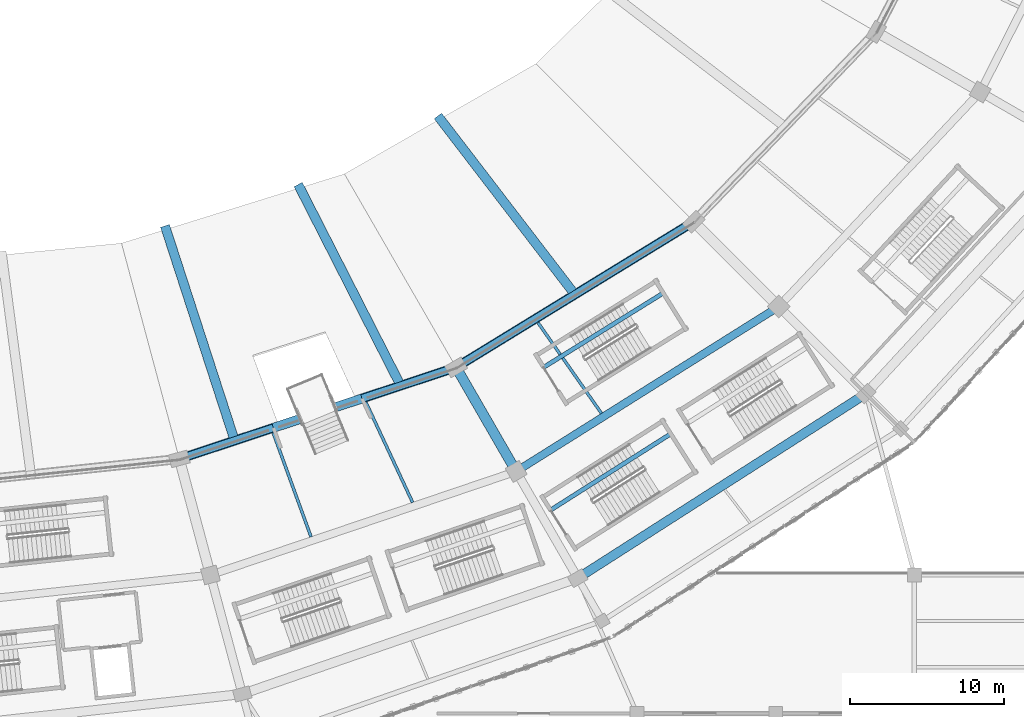
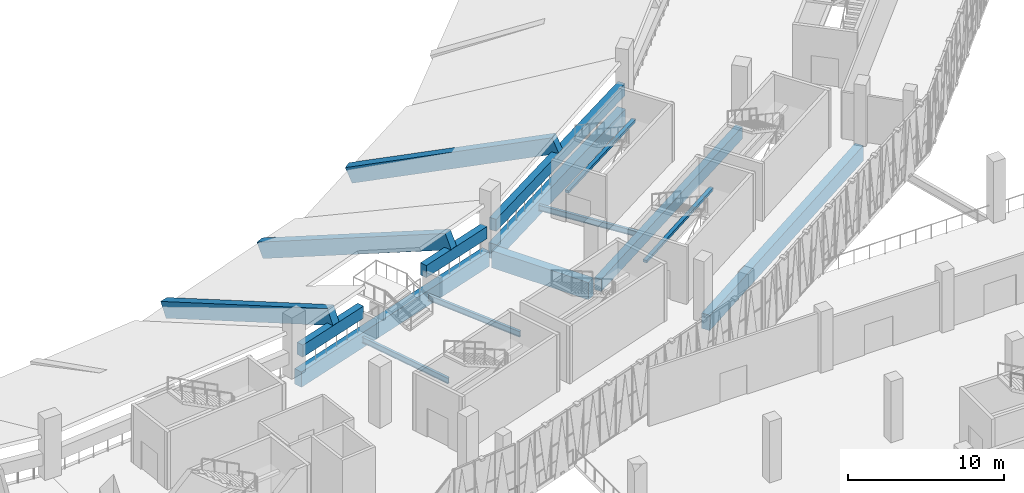
# One storey, part 31 of 183: 16 beams.
"""IFC4 building model written with IfcOpenShell, lengths in metres."""

from ifc_helpers import new_model, si_unit, direction, frame, origin, origin_2d, place, context, subcontext, project, spatial, rectangle, i_section, extrude, material, material_profile, profile_set, type_object, element, save


model = new_model("IFC4")

# Units and contexts
model_context = context("Model", 3, precision=1e-05, world=origin(), true_north=direction((0.0, 1.0)))
body_context = subcontext(model_context, "Body", "Model", "MODEL_VIEW")
ifc_project = project(units=[si_unit("LENGTHUNIT", "METRE"), si_unit("AREAUNIT", "SQUARE_METRE"), si_unit("VOLUMEUNIT", "CUBIC_METRE"), si_unit("PLANEANGLEUNIT", "RADIAN"), si_unit("MASSUNIT", "GRAM", prefix="KILO")], contexts=[model_context])

# Site, building, storey
site_placement = place(None, origin())
site = spatial("IfcSite", under=ifc_project, at=site_placement, CompositionType="ELEMENT")
building_placement = place(site_placement, origin())
building = spatial("IfcBuilding", under=site, at=building_placement, Name="Zevraka Park Crest Stadium", CompositionType="ELEMENT")
storey_placement = place(building_placement, frame((0.0, 0.0, 5.39990234375)))
storey = spatial("IfcBuildingStorey", under=building, at=storey_placement, Name="L01", CompositionType="ELEMENT", Elevation=5.39990234375)

# Beams
ifc_material_1 = material(Name="Concrete C40/50", Category="concrete")
ifc_material_profile_1 = material_profile(ifc_material_1, rectangle(XDim=0.64990234375, YDim=1.35009765625, at=origin_2d()), Name="RC 1350x650")
ifc_profile_set_1 = profile_set([ifc_material_profile_1], Name="Concrete C40/50")
beam_type_1 = type_object("IfcBeamType", Name="BG01", PredefinedType="BEAM", material=ifc_profile_set_1)
beam_1_placement = place(storey_placement, frame((149.39990234375, 40.2109375, -0.684814453125), z_axis=(0.500041424909, -0.866001485781, 0.0), x_axis=(0.866001485781, 0.500041424909, 0.0)))
element("IfcBeam", 1, at=beam_1_placement, inside=storey, type_object=beam_type_1, Name="Radial Girder BG01 L01-BC-20", PredefinedType="BEAM", context=body_context, shape_type="SweptSolid", body=[
    extrude(rectangle(XDim=0.64990234375, YDim=1.35009765625, at=origin_2d()), origin(), (0.0, 0.0, 1.0), 7.19970703125),
])
ifc_material_2 = material(Name="Concrete C40/50", Category="concrete")
ifc_material_profile_2 = material_profile(ifc_material_2, rectangle(XDim=0.60009765625, YDim=1.199951171875, at=origin_2d()), Name="RC 1200x600")
ifc_profile_set_2 = profile_set([ifc_material_profile_2], Name="Concrete C40/50")
beam_type_2 = type_object("IfcBeamType", Name="RB01", PredefinedType="BEAM", material=ifc_profile_set_2)
beam_2_placement = place(storey_placement, frame((131.64306640625, 34.64599609375, -0.60986328125), z_axis=(0.949383863235, 0.314118258349, 0.0), x_axis=(-0.314118258349, 0.949383863235, 0.0)))
element("IfcBeam", 2, at=beam_2_placement, inside=storey, type_object=beam_type_2, Name="Ring Beam RB01 L01-B-19", PredefinedType="BEAM", context=body_context, shape_type="SweptSolid", body=[
    extrude(rectangle(XDim=0.60009765625, YDim=1.199951171875, at=origin_2d()), origin(), (0.0, 0.0, 1.0), 18.165283203125),
])
beam_3_placement = place(storey_placement, frame((149.573974609375, 40.669921875, -0.60986328125), z_axis=(0.852632623571, 0.522510869956, 0.0), x_axis=(-0.522510869956, 0.852632623571, 0.0)))
element("IfcBeam", 3, at=beam_3_placement, inside=storey, type_object=beam_type_2, Name="Ring Beam RB01 L01-B-20", PredefinedType="BEAM", context=body_context, shape_type="SweptSolid", body=[
    extrude(rectangle(XDim=0.60009765625, YDim=1.199951171875, at=origin_2d()), origin(), (0.0, 0.0, 1.0), 17.335693359375),
])
beam_4_placement = place(storey_placement, frame((157.469970703125, 26.992919921875, -0.60986328125), z_axis=(0.842325571453, 0.538969045193, 0.0), x_axis=(-0.538969045193, 0.842325571453, 0.0)))
element("IfcBeam", 4, at=beam_4_placement, inside=storey, type_object=beam_type_2, Name="Ring Beam RB01 L01-D-20", PredefinedType="BEAM", context=body_context, shape_type="SweptSolid", body=[
    extrude(rectangle(XDim=0.60009765625, YDim=1.199951171875, at=origin_2d()), origin(), (0.0, 0.0, 1.0), 21.443115234375),
])
ifc_material_3 = material(Name="Concrete C40/50", Category="concrete")
ifc_material_profile_3 = material_profile(ifc_material_3, rectangle(XDim=0.5, YDim=0.949951171875, at=origin_2d()), Name="RC 950x500")
ifc_profile_set_3 = profile_set([ifc_material_profile_3], Name="Concrete C40/50")
beam_type_3 = type_object("IfcBeamType", Name="RB02", PredefinedType="BEAM", material=ifc_profile_set_3)
beam_5_placement = place(storey_placement, frame((153.471923828125, 33.91796875, -0.48486328125), z_axis=(0.847038516183, 0.531531515625, 0.0), x_axis=(-0.531531515625, 0.847038516183, 0.0)))
element("IfcBeam", 5, at=beam_5_placement, inside=storey, type_object=beam_type_3, Name="Ring Beam RB02 L01-C-20", PredefinedType="BEAM", context=body_context, shape_type="SweptSolid", body=[
    extrude(rectangle(XDim=0.5, YDim=0.949951171875, at=origin_2d()), origin(), (0.0, 0.0, 1.0), 19.36279296875),
])
for number, where, z_axis, x_axis, name in (
    (6, (131.821044921875, 34.705078125, 1.505126953125), (0.949380063139, 0.314129743442, 0.0), (-0.314129743442, 0.949380063139, 0.0), "Lower Tier Head Raker Ring Beam RB02 19-1"),
    (7, (143.14111328125, 38.449951171875, 1.505126953125), (0.949375956717, 0.31414215382, 0.0), (-0.31414215382, 0.949375956717, 0.0), "Lower Tier Head Raker Ring Beam RB02 19-2"),
):
    element("IfcBeam", number, at=place(storey_placement, frame(where, z_axis=z_axis, x_axis=x_axis)), inside=storey, type_object=beam_type_3, Name=name, PredefinedType="BEAM", context=body_context, shape_type="SweptSolid", body=[
        extrude(rectangle(XDim=0.5, YDim=0.949951171875, at=origin_2d()), origin(), (0.0, 0.0, 1.0), 5.866943359375),
    ])
beam_6_placement = place(storey_placement, frame((149.573974609375, 40.669921875, 1.505126953125), z_axis=(0.852632623571, 0.522510869956, 0.0), x_axis=(-0.522510869956, 0.852632623571, 0.0)))
element("IfcBeam", 8, at=beam_6_placement, inside=storey, type_object=beam_type_3, Name="Lower Tier Head Raker Ring Beam RB02 20", PredefinedType="BEAM", context=body_context, shape_type="SweptSolid", body=[
    extrude(rectangle(XDim=0.5, YDim=0.949951171875, at=origin_2d()), origin(), (0.0, 0.0, 1.0), 17.335693359375),
])
ifc_material_4 = material(Name="Concrete C40/50", Category="concrete")
ifc_material_profile_4 = material_profile(ifc_material_4, rectangle(XDim=0.60009765625, YDim=1.199951171875, at=origin_2d()), Name="RC 1200x600")
ifc_profile_set_4 = profile_set([ifc_material_profile_4], Name="Concrete C40/50")
beam_type_4 = type_object("IfcBeamType", Name="RK01", PredefinedType="BEAM", material=ifc_profile_set_4)
beam_7_placement = place(storey_placement, frame((130.423095703125, 49.431884765625, -3.64990234375), z_axis=(0.283751225252, -0.874014136446, 0.394442050827), x_axis=(0.95113106587, 0.308787460135, 0.0)))
element("IfcBeam", 9, at=beam_7_placement, inside=storey, type_object=beam_type_4, Name="Lower Bowl Raker Girder RK01 19-1", PredefinedType="BEAM", context=body_context, shape_type="SweptSolid", body=[
    extrude(rectangle(XDim=0.60009765625, YDim=1.199951171875, at=origin_2d()), origin(), (0.0, 0.0, 1.0), 15.69287109375),
])
beam_8_placement = place(storey_placement, frame((139.10595703125, 52.1298828125, -3.64990234375), z_axis=(0.417372414176, -0.818674691416, 0.39442618767), x_axis=(0.890902251641, 0.454195088063, 0.0)))
element("IfcBeam", 10, at=beam_8_placement, inside=storey, type_object=beam_type_4, Name="Lower Bowl Raker Girder RK01 19-2", PredefinedType="BEAM", context=body_context, shape_type="SweptSolid", body=[
    extrude(rectangle(XDim=0.60009765625, YDim=1.199951171875, at=origin_2d()), origin(), (0.0, 0.0, 1.0), 15.693603515625),
])
beam_9_placement = place(storey_placement, frame((148.212890625, 56.60400390625, -3.64990234375), z_axis=(0.55912472884, -0.728679361355, 0.39548189078), x_axis=(0.793358919709, 0.608754157701, 0.0)))
element("IfcBeam", 11, at=beam_9_placement, inside=storey, type_object=beam_type_4, Name="Lower Bowl Raker Girder RK01 20", PredefinedType="BEAM", context=body_context, shape_type="SweptSolid", body=[
    extrude(rectangle(XDim=0.60009765625, YDim=1.199951171875, at=origin_2d()), origin(), (0.0, 0.0, 1.0), 15.651611328125),
])
ifc_material_5 = material(Name="Steel S355", Category="steel")
ifc_material_profile_5 = material_profile(ifc_material_5, i_section(OverallWidth=0.18994140625, OverallDepth=0.449951171875, WebThickness=0.009521484375, FlangeThickness=0.0146484375, at=origin_2d()), Name="IPE 450")
ifc_profile_set_5 = profile_set([ifc_material_profile_5], Name="Steel S355")
beam_type_5 = type_object("IfcBeamType", Name="SJ03", PredefinedType="JOIST", material=ifc_profile_set_5)
beam_10_placement = place(storey_placement, frame((137.37890625, 36.2119140625, -0.532958984375), z_axis=(0.341906854884, -0.939733846673, 0.0), x_axis=(0.939733846673, 0.341906854884, 0.0)))
element("IfcBeam", 12, at=beam_10_placement, inside=storey, type_object=beam_type_5, Name="Floor Joist SJ03 L01-BC-19-1", PredefinedType="JOIST", context=body_context, shape_type="SweptSolid", body=[
    extrude(i_section(OverallWidth=0.18994140625, OverallDepth=0.449951171875, WebThickness=0.009521484375, FlangeThickness=0.0146484375, at=origin_2d()), origin(), (0.0, 0.0, 1.0), 7.1806640625),
])
for number, where, z_axis, x_axis, name in (
    (13, (143.39404296875, 38.2041015625, -0.532958984375), (0.422799841013, -0.906223093085, 0.0), (0.906223093085, 0.422799841013, 0.0), "Floor Joist SJ03 L01-BC-19-2"),
    (14, (154.573974609375, 43.364990234375, -0.532958984375), (0.573350525279, -0.819310182509, 0.0), (0.819310182509, 0.573350525279, 0.0), "Floor Joist SJ03 L01-BC-20-1"),
):
    element("IfcBeam", number, at=place(storey_placement, frame(where, z_axis=z_axis, x_axis=x_axis)), inside=storey, type_object=beam_type_5, Name=name, PredefinedType="JOIST", context=body_context, shape_type="SweptSolid", body=[
        extrude(i_section(OverallWidth=0.18994140625, OverallDepth=0.449951171875, WebThickness=0.009521484375, FlangeThickness=0.0146484375, at=origin_2d()), origin(), (0.0, 0.0, 1.0), 7.180419921875),
    ])
ifc_material_6 = material(Name="Concrete C40/50", Category="concrete")
ifc_material_profile_6 = material_profile(ifc_material_6, rectangle(XDim=0.280029296875, YDim=0.199951171875, at=origin_2d()), Name="RC 200x280")
ifc_profile_set_6 = profile_set([ifc_material_profile_6], Name="Concrete C40/50")
beam_type_6 = type_object("IfcBeamType", Name="SJ13", PredefinedType="JOIST", material=ifc_profile_set_6)
beam_11_placement = place(storey_placement, frame((155.404296875, 31.219482421875, 2.300048828125), z_axis=(0.844404041367, 0.535706836734, 0.0), x_axis=(-0.535706836734, 0.844404041367, 0.0)))
element("IfcBeam", 15, at=beam_11_placement, inside=storey, type_object=beam_type_6, Name="Stair Upper-Flight Longitudinal Stringer SJ13 ST21-L01", PredefinedType="JOIST", context=body_context, shape_type="SweptSolid", body=[
    extrude(rectangle(XDim=0.280029296875, YDim=0.199951171875, at=origin_2d()), origin(), (0.0, 0.0, 1.0), 9.25),
])
beam_12_placement = place(storey_placement, frame((154.95361328125, 40.4873046875, 2.300048828125), z_axis=(0.849698289546, 0.527269207088, 0.0), x_axis=(-0.527269207088, 0.849698289546, 0.0)))
element("IfcBeam", 16, at=beam_12_placement, inside=storey, type_object=beam_type_6, Name="Stair Upper-Flight Longitudinal Stringer SJ13 ST43-L01", PredefinedType="JOIST", context=body_context, shape_type="SweptSolid", body=[
    extrude(rectangle(XDim=0.280029296875, YDim=0.199951171875, at=origin_2d()), origin(), (0.0, 0.0, 1.0), 9.14990234375),
])

save(model, "model.ifc")
